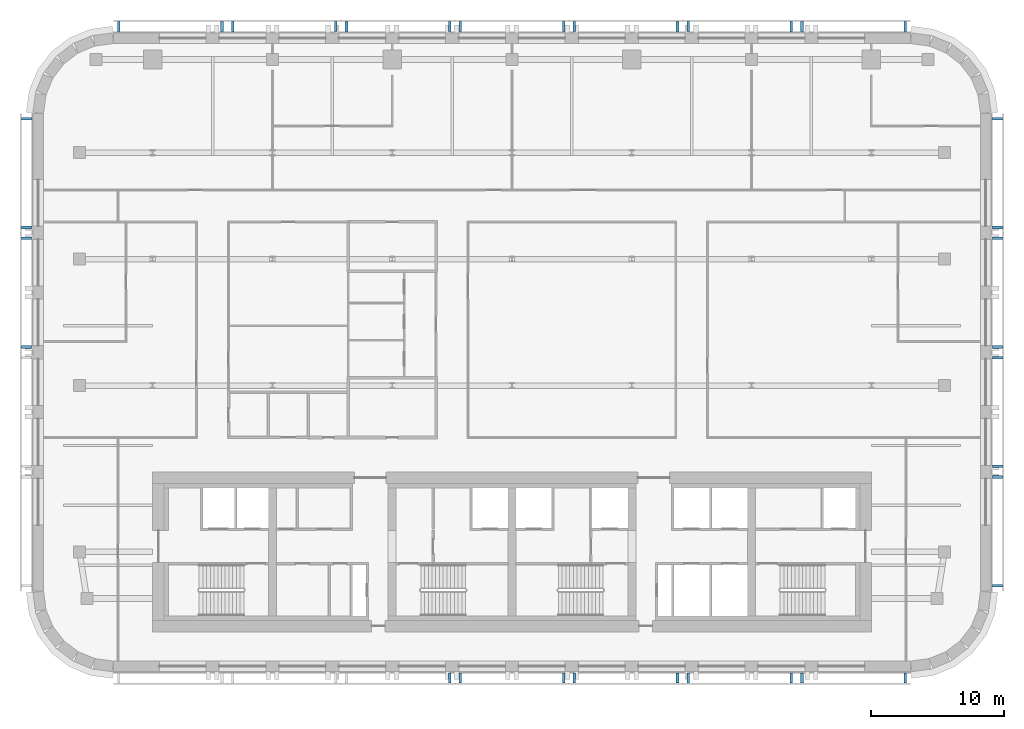
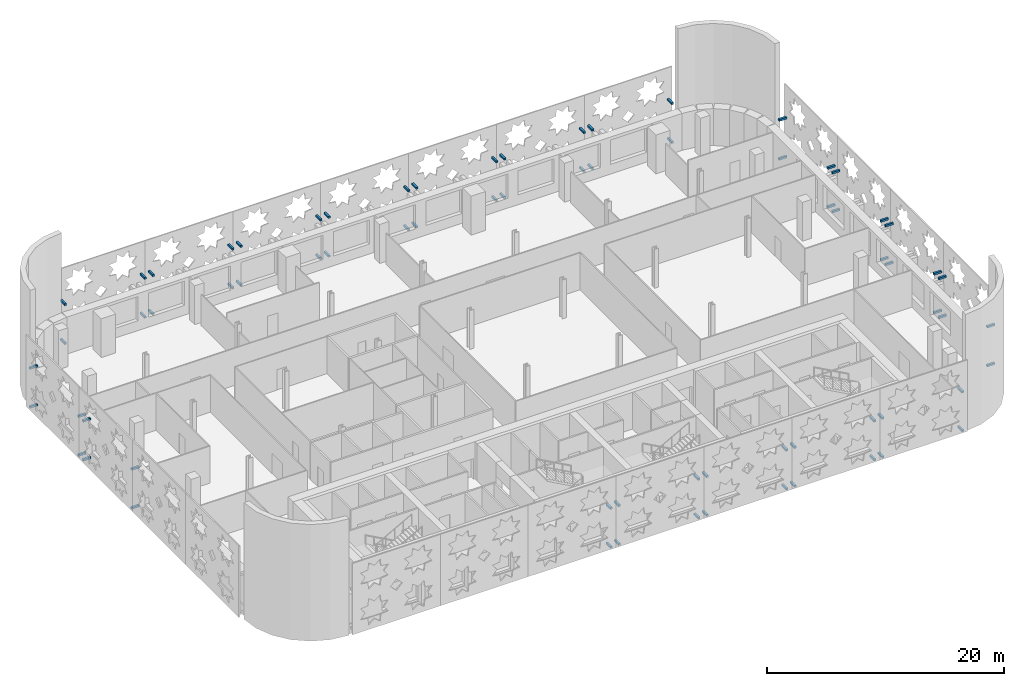
# One storey, part 9 of 14: 70 discrete accessories.
"""IFC4 building model written with IfcOpenShell, lengths in metres."""

from ifc_helpers import new_model, si_unit, direction, frame, origin, origin_2d, place, context, subcontext, project, spatial, rectangle, extrude, material, type_object, element, save


model = new_model("IFC4")

# Units and contexts
model_context = context("Model", 3, precision=1e-05, world=origin(), true_north=direction((0.0, 1.0)))
body_context = subcontext(model_context, "Body", "Model", "MODEL_VIEW")
ifc_project = project(units=[si_unit("LENGTHUNIT", "METRE"), si_unit("AREAUNIT", "SQUARE_METRE"), si_unit("VOLUMEUNIT", "CUBIC_METRE"), si_unit("PLANEANGLEUNIT", "RADIAN"), si_unit("MASSUNIT", "GRAM", prefix="KILO")], contexts=[model_context])

# Site, building, storey
site_placement = place(None, origin())
site = spatial("IfcSite", under=ifc_project, at=site_placement, CompositionType="ELEMENT")
building_placement = place(site_placement, origin())
building = spatial("IfcBuilding", under=site, at=building_placement, Name="Zellij Exchange Tower", CompositionType="ELEMENT")
storey_placement = place(building_placement, frame((0.0, 0.0, 164.5)))
storey = spatial("IfcBuildingStorey", under=building, at=storey_placement, Name="L37", CompositionType="ELEMENT", Elevation=164.5)

# Discrete accessories
ifc_material = material(Name="Stainless steel", Category="steel")
discrete_accessory_type = type_object("IfcDiscreteAccessoryType", Name="ENV-BR1 Stone panel bracket 200", PredefinedType="USERDEFINED", material=ifc_material)
for number, where, z_axis, x_axis, name in (
    (1, (-36.47509765625, 24.547607421875, 0.2998046875), (0.0, 0.0, 1.0), (0.0, -1.0, 0.0), "Panel bracket"),
    (2, (-36.47509765625, 16.373779296875, 0.2998046875), (0.0, 0.0, 1.0), (0.0, -1.0, 0.0), "Panel bracket"),
    (3, (-36.47509765625, 24.547607421875, 4.2998046875), (0.0, 0.0, 1.0), (0.0, -1.0, 0.0), "Panel bracket"),
    (4, (-36.47509765625, 16.373779296875, 4.2998046875), (0.0, 0.0, 1.0), (0.0, -1.0, 0.0), "Panel bracket"),
    (5, (-36.47509765625, 15.57373046875, 0.2998046875), (0.0, 0.0, 1.0), (0.0, -1.0, 0.0), "Panel bracket"),
    (6, (-36.47509765625, 7.39990234375, 0.2998046875), (0.0, 0.0, 1.0), (0.0, -1.0, 0.0), "Panel bracket"),
    (7, (-36.47509765625, 15.57373046875, 4.2998046875), (0.0, 0.0, 1.0), (0.0, -1.0, 0.0), "Panel bracket"),
    (8, (-36.47509765625, 7.39990234375, 4.2998046875), (0.0, 0.0, 1.0), (0.0, -1.0, 0.0), "Panel bracket"),
    (9, (-4.67822265625, -17.47509765625, 0.2998046875), (0.0, 0.0, 1.0), (1.0, 0.0, 0.0), "Panel bracket"),
    (10, (-4.67822265625, -17.47509765625, 4.2998046875), (0.0, 0.0, 1.0), (1.0, 0.0, 0.0), "Panel bracket"),
    (11, (-3.878173828125, -17.47509765625, 0.2998046875), (0.0, 0.0, 1.0), (1.0, 0.0, 0.0), "Panel bracket"),
    (12, (3.878173828125, -17.47509765625, 0.2998046875), (0.0, 0.0, 1.0), (1.0, 0.0, 0.0), "Panel bracket"),
    (13, (-3.878173828125, -17.47509765625, 4.2998046875), (0.0, 0.0, 1.0), (1.0, 0.0, 0.0), "Panel bracket"),
    (14, (3.878173828125, -17.47509765625, 4.2998046875), (0.0, 0.0, 1.0), (1.0, 0.0, 0.0), "Panel bracket"),
    (15, (4.67822265625, -17.47509765625, 0.2998046875), (0.0, 0.0, 1.0), (1.0, 0.0, 0.0), "Panel bracket"),
    (16, (12.434814453125, -17.47509765625, 0.2998046875), (0.0, 0.0, 1.0), (1.0, 0.0, 0.0), "Panel bracket"),
    (17, (4.67822265625, -17.47509765625, 4.2998046875), (0.0, 0.0, 1.0), (1.0, 0.0, 0.0), "Panel bracket"),
    (18, (12.434814453125, -17.47509765625, 4.2998046875), (0.0, 0.0, 1.0), (1.0, 0.0, 0.0), "Panel bracket"),
    (19, (13.234619140625, -17.47509765625, 0.2998046875), (0.0, 0.0, 1.0), (1.0, 0.0, 0.0), "Panel bracket"),
    (20, (20.9912109375, -17.47509765625, 0.2998046875), (0.0, 0.0, 1.0), (1.0, 0.0, 0.0), "Panel bracket"),
    (21, (13.234619140625, -17.47509765625, 4.2998046875), (0.0, 0.0, 1.0), (1.0, 0.0, 0.0), "Panel bracket"),
    (22, (20.9912109375, -17.47509765625, 4.2998046875), (0.0, 0.0, 1.0), (1.0, 0.0, 0.0), "Panel bracket"),
    (23, (21.791015625, -17.47509765625, 0.2998046875), (0.0, 0.0, 1.0), (1.0, 0.0, 0.0), "Panel bracket"),
    (24, (29.547607421875, -17.47509765625, 0.2998046875), (0.0, 0.0, 1.0), (1.0, 0.0, 0.0), "Panel bracket"),
    (25, (21.791015625, -17.47509765625, 4.2998046875), (0.0, 0.0, 1.0), (1.0, 0.0, 0.0), "Panel bracket"),
    (26, (29.547607421875, -17.47509765625, 4.2998046875), (0.0, 0.0, 1.0), (1.0, 0.0, 0.0), "Panel bracket"),
    (27, (29.547607421875, 31.47509765625, 0.2998046875), (0.0, 0.0, 1.0), (-1.0, 0.0, 0.0), "Panel bracket"),
    (28, (21.791015625, 31.47509765625, 0.2998046875), (0.0, 0.0, 1.0), (-1.0, 0.0, 0.0), "Panel bracket"),
    (29, (29.547607421875, 31.47509765625, 4.2998046875), (0.0, 0.0, 1.0), (-1.0, 0.0, 0.0), "Panel bracket"),
    (30, (21.791015625, 31.47509765625, 4.2998046875), (0.0, 0.0, 1.0), (-1.0, 0.0, 0.0), "Panel bracket"),
    (31, (20.9912109375, 31.47509765625, 0.2998046875), (0.0, 0.0, 1.0), (-1.0, 0.0, 0.0), "Panel bracket"),
    (32, (13.234619140625, 31.47509765625, 0.2998046875), (0.0, 0.0, 1.0), (-1.0, 0.0, 0.0), "Panel bracket"),
    (33, (20.9912109375, 31.47509765625, 4.2998046875), (0.0, 0.0, 1.0), (-1.0, 0.0, 0.0), "Panel bracket"),
    (34, (13.234619140625, 31.47509765625, 4.2998046875), (0.0, 0.0, 1.0), (-1.0, 0.0, 0.0), "Panel bracket"),
    (35, (12.434814453125, 31.47509765625, 0.2998046875), (0.0, 0.0, 1.0), (-1.0, 0.0, 0.0), "Panel bracket"),
    (36, (4.67822265625, 31.47509765625, 0.2998046875), (0.0, 0.0, 1.0), (-1.0, 0.0, 0.0), "Panel bracket"),
    (37, (12.434814453125, 31.47509765625, 4.2998046875), (0.0, 0.0, 1.0), (-1.0, 0.0, 0.0), "Panel bracket"),
    (38, (4.67822265625, 31.47509765625, 4.2998046875), (0.0, 0.0, 1.0), (-1.0, 0.0, 0.0), "Panel bracket"),
    (39, (3.878173828125, 31.47509765625, 0.2998046875), (0.0, 0.0, 1.0), (-1.0, 0.0, 0.0), "Panel bracket"),
    (40, (-3.878173828125, 31.47509765625, 0.2998046875), (0.0, 0.0, 1.0), (-1.0, 0.0, 0.0), "Panel bracket"),
    (41, (3.878173828125, 31.47509765625, 4.2998046875), (0.0, 0.0, 1.0), (-1.0, 0.0, 0.0), "Panel bracket"),
    (42, (-3.878173828125, 31.47509765625, 4.2998046875), (0.0, 0.0, 1.0), (-1.0, 0.0, 0.0), "Panel bracket"),
    (43, (-4.67822265625, 31.47509765625, 0.2998046875), (0.0, 0.0, 1.0), (-1.0, 0.0, 0.0), "Panel bracket"),
    (44, (-12.434814453125, 31.47509765625, 0.2998046875), (0.0, 0.0, 1.0), (-1.0, 0.0, 0.0), "Panel bracket"),
    (45, (-4.67822265625, 31.47509765625, 4.2998046875), (0.0, 0.0, 1.0), (-1.0, 0.0, 0.0), "Panel bracket"),
    (46, (-12.434814453125, 31.47509765625, 4.2998046875), (0.0, 0.0, 1.0), (-1.0, 0.0, 0.0), "Panel bracket"),
    (47, (-13.234619140625, 31.47509765625, 0.2998046875), (0.0, 0.0, 1.0), (-1.0, 0.0, 0.0), "Panel bracket"),
    (48, (-20.9912109375, 31.47509765625, 0.2998046875), (0.0, 0.0, 1.0), (-1.0, 0.0, 0.0), "Panel bracket"),
    (49, (-13.234619140625, 31.47509765625, 4.2998046875), (0.0, 0.0, 1.0), (-1.0, 0.0, 0.0), "Panel bracket"),
    (50, (-20.9912109375, 31.47509765625, 4.2998046875), (0.0, 0.0, 1.0), (-1.0, 0.0, 0.0), "Panel bracket"),
    (51, (-21.791015625, 31.47509765625, 0.2998046875), (0.0, 0.0, 1.0), (-1.0, 0.0, 0.0), "Panel bracket"),
    (52, (-29.547607421875, 31.47509765625, 0.2998046875), (0.0, 0.0, 1.0), (-1.0, 0.0, 0.0), "Panel bracket"),
    (53, (-21.791015625, 31.47509765625, 4.2998046875), (0.0, 0.0, 1.0), (-1.0, 0.0, 0.0), "Panel bracket"),
    (54, (-29.547607421875, 31.47509765625, 4.2998046875), (0.0, 0.0, 1.0), (-1.0, 0.0, 0.0), "Panel bracket"),
    (55, (36.47509765625, -10.547607421875, 0.2998046875), (0.0, 0.0, 1.0), (0.0, 1.0, 0.0), "Panel bracket"),
    (56, (36.47509765625, -2.373779296875, 0.2998046875), (0.0, 0.0, 1.0), (0.0, 1.0, 0.0), "Panel bracket"),
    (57, (36.47509765625, -10.547607421875, 4.2998046875), (0.0, 0.0, 1.0), (0.0, 1.0, 0.0), "Panel bracket"),
    (58, (36.47509765625, -2.373779296875, 4.2998046875), (0.0, 0.0, 1.0), (0.0, 1.0, 0.0), "Panel bracket"),
    (59, (36.47509765625, -1.57373046875, 0.2998046875), (0.0, 0.0, 1.0), (0.0, 1.0, 0.0), "Panel bracket"),
    (60, (36.47509765625, 6.60009765625, 0.2998046875), (0.0, 0.0, 1.0), (0.0, 1.0, 0.0), "Panel bracket"),
    (61, (36.47509765625, -1.57373046875, 4.2998046875), (0.0, 0.0, 1.0), (0.0, 1.0, 0.0), "Panel bracket"),
    (62, (36.47509765625, 6.60009765625, 4.2998046875), (0.0, 0.0, 1.0), (0.0, 1.0, 0.0), "Panel bracket"),
    (63, (36.47509765625, 7.39990234375, 0.2998046875), (0.0, 0.0, 1.0), (0.0, 1.0, 0.0), "Panel bracket"),
    (64, (36.47509765625, 15.57373046875, 0.2998046875), (0.0, 0.0, 1.0), (0.0, 1.0, 0.0), "Panel bracket"),
    (65, (36.47509765625, 7.39990234375, 4.2998046875), (0.0, 0.0, 1.0), (0.0, 1.0, 0.0), "Panel bracket"),
    (66, (36.47509765625, 15.57373046875, 4.2998046875), (0.0, 0.0, 1.0), (0.0, 1.0, 0.0), "Panel bracket"),
    (67, (36.47509765625, 16.373779296875, 0.2998046875), (0.0, 0.0, 1.0), (0.0, 1.0, 0.0), "Panel bracket"),
    (68, (36.47509765625, 24.547607421875, 0.2998046875), (0.0, 0.0, 1.0), (0.0, 1.0, 0.0), "Panel bracket"),
    (69, (36.47509765625, 16.373779296875, 4.2998046875), (0.0, 0.0, 1.0), (0.0, 1.0, 0.0), "Panel bracket"),
    (70, (36.47509765625, 24.547607421875, 4.2998046875), (0.0, 0.0, 1.0), (0.0, 1.0, 0.0), "Panel bracket"),
):
    element("IfcDiscreteAccessory", number, at=place(storey_placement, frame(where, z_axis=z_axis, x_axis=x_axis)), inside=storey, type_object=discrete_accessory_type, Name=name, ObjectType="BRACKET", PredefinedType="USERDEFINED", context=body_context, shape_type="SweptSolid", body=[
        extrude(rectangle(XDim=0.199951171875, YDim=0.75, at=origin_2d()), origin(), (0.0, 0.0, 1.0), 0.199951171875),
    ])

save(model, "model.ifc")
